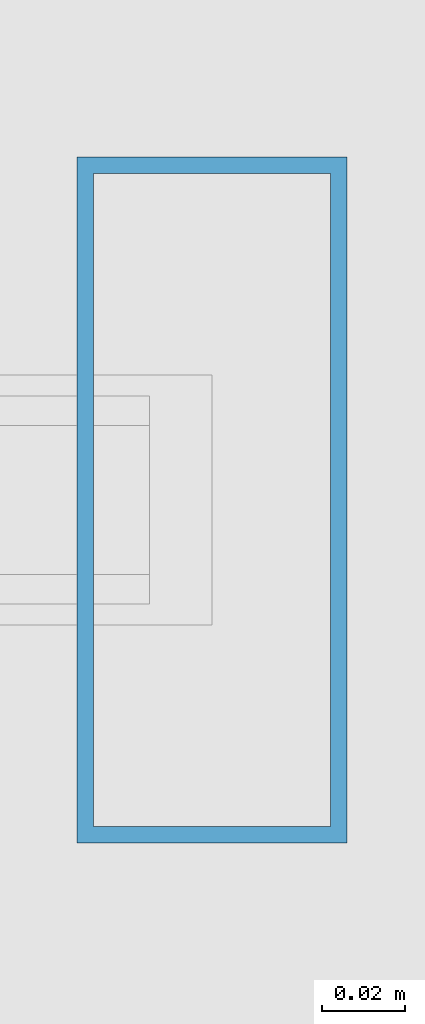
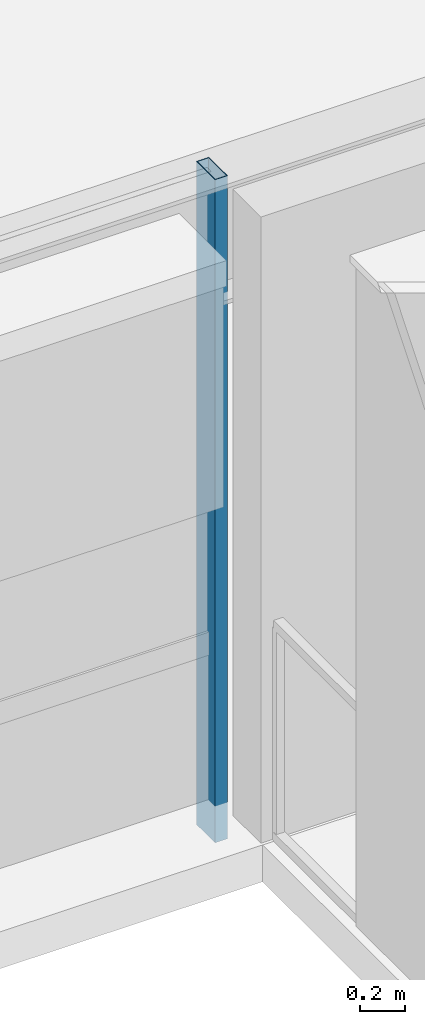
# One storey, part 7 of 32: 1 member, 1 element without a shape of its own.
"""IFC4 building model written with IfcOpenShell, lengths in metres."""

import ifcopenshell
import ifcopenshell.guid

model = None  # the IFC model being written
_history = None  # IfcOwnerHistory: only IFC2X3 demands one
_inside = {}  # id of a spatial element -> (the spatial element, [elements in it])
_under = {}  # id of a project, library or spatial element -> (it, [spatial elements below it])
_declared = {}  # id of a project -> (the project, [libraries it declares])
_typed = {}  # id of a type object -> (the type object, [elements of that type])
_made_of = {}  # id of a material, layer set ... -> (it, [elements and type objects made of it])


def new_model(schema):
    """Start an empty IFC model of exactly this schema.

    Asked for "IFC4X3", IfcOpenShell would pick the latest addendum, in which some entities
    have other attributes; the version numbers below select the first issue.
    IFC2X3 requires an IfcOwnerHistory on every rooted entity: one is made here for all.
    """
    global model, _history
    if schema == "IFC4X3":
        model = ifcopenshell.file(schema_version=(4, 3, 0, 0))
    else:
        model = ifcopenshell.file(schema=schema)
    _inside.clear()
    _under.clear()
    _declared.clear()
    _typed.clear()
    _made_of.clear()
    _history = None
    if model.schema == "IFC2X3":
        org = make("IfcOrganization", Name="unknown")
        user = make(
            "IfcPersonAndOrganization",
            ThePerson=make("IfcPerson", FamilyName="unknown"),
            TheOrganization=org,
        )
        app = make(
            "IfcApplication",
            ApplicationDeveloper=org,
            Version="unknown",
            ApplicationFullName="unknown",
            ApplicationIdentifier="unknown",
        )
        _history = make(
            "IfcOwnerHistory",
            OwningUser=user,
            OwningApplication=app,
            ChangeAction="ADDED",
            CreationDate=0,
        )
    return model


def make(cls, **values):
    """One entity of the class cls with the attributes given. An attribute that is None is left unset."""
    return model.create_entity(
        cls, **{name: value for name, value in values.items() if value is not None}
    )


def rooted(cls, **values):
    """An entity with a GlobalId (a new one), such as an element, a storey or a relation."""
    return make(cls, GlobalId=ifcopenshell.guid.new(), OwnerHistory=_history, **values)


def si_unit(unit_type, name, prefix=None):
    """IfcSIUnit, for example si_unit("LENGTHUNIT", "METRE", prefix="MILLI")."""
    return make("IfcSIUnit", UnitType=unit_type, Prefix=prefix, Name=name)


def assignment(units):
    """IfcUnitAssignment: the units of a project."""
    return None if units is None else make("IfcUnitAssignment", Units=units)


def point(xyz):
    """IfcCartesianPoint."""
    return None if xyz is None else make("IfcCartesianPoint", Coordinates=xyz)


def direction(xyz):
    """IfcDirection."""
    return None if xyz is None else make("IfcDirection", DirectionRatios=xyz)


def frame(location, z_axis=None, x_axis=None):
    """IfcAxis2Placement3D, a coordinate frame: its origin and axes. An axis left out is left unset."""
    return make(
        "IfcAxis2Placement3D",
        Location=point(location),
        Axis=direction(z_axis),
        RefDirection=direction(x_axis),
    )


def frame_2d(location, x_axis=None):
    """IfcAxis2Placement2D, a coordinate frame in the plane: its origin and x axis."""
    return make(
        "IfcAxis2Placement2D", Location=point(location), RefDirection=direction(x_axis)
    )


def origin():
    """The frame at (0, 0, 0) with its axes left unset."""
    return frame((0.0, 0.0, 0.0))


def origin_2d():
    """The frame at (0, 0) in the plane with its x axis left unset."""
    return frame_2d((0.0, 0.0))


def place(relative_to, where):
    """IfcLocalPlacement: puts the frame where relative to a parent placement (None: the world)."""
    return make(
        "IfcLocalPlacement", PlacementRelTo=relative_to, RelativePlacement=where
    )


def context(
    kind, dimensions, precision=None, world=None, true_north=None, identifier=None
):
    """IfcGeometricRepresentationContext, for example the 3D "Model" context."""
    return make(
        "IfcGeometricRepresentationContext",
        ContextIdentifier=identifier,
        ContextType=kind,
        CoordinateSpaceDimension=dimensions,
        Precision=precision,
        WorldCoordinateSystem=world,
        TrueNorth=true_north,
    )


def subcontext(parent, identifier, kind, view, scale=None):
    """IfcGeometricRepresentationSubContext, for example "Body" below "Model"."""
    return make(
        "IfcGeometricRepresentationSubContext",
        ContextIdentifier=identifier,
        ContextType=kind,
        ParentContext=parent,
        TargetScale=scale,
        TargetView=view,
    )


def project(units=None, contexts=None):
    """IfcProject with its units and contexts."""
    return rooted(
        "IfcProject",
        Name="project",
        RepresentationContexts=contexts,
        UnitsInContext=assignment(units),
    )


def spatial(cls, under=None, at=None, **own):
    """A site, building, storey or space (cls), placed at a placement, below another one or the project."""
    s = rooted(cls, ObjectPlacement=at, **own)
    if under is not None:
        _under.setdefault(under.id(), (under, []))[1].append(s)
    return s


def profile(cls, at=None, kind="AREA", **sizes):
    """A parametric profile (cls). Its sizes go by their IFC names, for example OverallWidth=200.0."""
    return make(cls, ProfileType=kind, Position=at, **sizes)


def hollow_rectangle(**sizes):
    """IfcRectangleHollowProfileDef."""
    return profile("IfcRectangleHollowProfileDef", **sizes)


def extrude(swept, where, along, depth):
    """IfcExtrudedAreaSolid: the profile swept, set in the frame where, extruded along a direction by depth."""
    return make(
        "IfcExtrudedAreaSolid",
        SweptArea=swept,
        Position=where,
        ExtrudedDirection=direction(along),
        Depth=depth,
    )


def shape(context_of_items, identifier, shape_type, items):
    """IfcShapeRepresentation: the items that make up one representation, for example the "Body"."""
    return make(
        "IfcShapeRepresentation",
        ContextOfItems=context_of_items,
        RepresentationIdentifier=identifier,
        RepresentationType=shape_type,
        Items=items,
    )


def material(Name=None, Category=None):
    """IfcMaterial."""
    return make("IfcMaterial", Name=Name, Category=Category)


def layer(
    of_material, thickness, ventilated=None, Name=None, Category=None, Priority=None
):
    """IfcMaterialLayer: one layer of a wall or slab, of a material (None: an air gap)."""
    return make(
        "IfcMaterialLayer",
        Material=of_material,
        LayerThickness=thickness,
        IsVentilated=ventilated,
        Name=Name,
        Category=Category,
        Priority=Priority,
    )


def layer_set(layers, Name=None):
    """IfcMaterialLayerSet."""
    return make("IfcMaterialLayerSet", MaterialLayers=layers, LayerSetName=Name)


def material_profile(
    of_material, cross_section, Name=None, Category=None, Priority=None
):
    """IfcMaterialProfile: a cross section and its material."""
    return make(
        "IfcMaterialProfile",
        Name=Name,
        Material=of_material,
        Profile=cross_section,
        Priority=Priority,
        Category=Category,
    )


def profile_set(profiles, Name=None, composite=None):
    """IfcMaterialProfileSet."""
    return make(
        "IfcMaterialProfileSet",
        Name=Name,
        MaterialProfiles=profiles,
        CompositeProfile=composite,
    )


def made_of(thing, what):
    """Note that an element or type object is made of a material, layer set ...; save() writes the relation."""
    if what is not None:
        _made_of.setdefault(what.id(), (what, []))[1].append(thing)
    return thing


def type_object(cls, material=None, **own):
    """A type object (cls), such as IfcWallType, which elements share."""
    return made_of(rooted(cls, **own), material)


def element(
    cls,
    number,
    at=None,
    inside=None,
    cuts=None,
    type_object=None,
    material=None,
    context=None,
    identifier="Body",
    shape_type=None,
    held_by="IfcProductDefinitionShape",
    body=None,
    shapes=None,
    **own,
):
    """One element of the class cls, such as IfcWall. Its Tag is "e" and its number.

    at: its placement. inside: the storey or other place that contains it. cuts: it is an
    opening in that element (IfcRelVoidsElement). A single representation is given by context,
    identifier, shape_type and body (its items); several are given by shapes. held_by: the class
    of the entity that holds the representations. save() writes the other relations.
    """
    e = rooted(cls, Tag="e%d" % number, ObjectPlacement=at, **own)
    if body is not None:
        shapes = [shape(context, identifier, shape_type, body)]
    if shapes is not None:
        e.Representation = make(held_by, Representations=shapes)
    if inside is not None:
        _inside.setdefault(inside.id(), (inside, []))[1].append(e)
    if cuts is not None:
        rooted(
            "IfcRelVoidsElement", RelatingBuildingElement=cuts, RelatedOpeningElement=e
        )
    if type_object is not None:
        _typed.setdefault(type_object.id(), (type_object, []))[1].append(e)
    return made_of(e, material)


def aggregate(whole, parts):
    """IfcRelAggregates: a whole, such as a stair, and the parts it consists of."""
    return rooted("IfcRelAggregates", RelatingObject=whole, RelatedObjects=parts)


def save(model, path):
    """Write the relations noted so far, then the file.

    IfcRelAggregates (storeys below a building ...), IfcRelContainedInSpatialStructure (elements
    in a storey), IfcRelDefinesByType, IfcRelAssociatesMaterial and IfcRelDeclares: one each for
    every whole, place, type object, material and project.
    """
    for whole, parts in _under.values():
        aggregate(whole, parts)
    for where, things in _inside.values():
        rooted(
            "IfcRelContainedInSpatialStructure",
            RelatedElements=things,
            RelatingStructure=where,
        )
    for kind, things in _typed.values():
        rooted("IfcRelDefinesByType", RelatedObjects=things, RelatingType=kind)
    for what, things in _made_of.values():
        rooted("IfcRelAssociatesMaterial", RelatedObjects=things, RelatingMaterial=what)
    for by, libraries in _declared.values():
        rooted("IfcRelDeclares", RelatingContext=by, RelatedDefinitions=libraries)
    model.write(path)


model = new_model("IFC4")

# Units and contexts
model_context = context("Model", 3, precision=1e-05, world=origin(), true_north=direction((0.0, 1.0)))
body_context = subcontext(model_context, "Body", "Model", "MODEL_VIEW")
ifc_project = project(units=[si_unit("LENGTHUNIT", "METRE"), si_unit("AREAUNIT", "SQUARE_METRE"), si_unit("VOLUMEUNIT", "CUBIC_METRE"), si_unit("PLANEANGLEUNIT", "RADIAN"), si_unit("MASSUNIT", "GRAM", prefix="KILO")], contexts=[model_context])

# Site, building, storey
site_placement = place(None, origin())
site = spatial("IfcSite", under=ifc_project, at=site_placement, CompositionType="ELEMENT")
building_placement = place(site_placement, origin())
building = spatial("IfcBuilding", under=site, at=building_placement, Name="Brelmoor Portico Tower", CompositionType="ELEMENT")
storey_placement = place(building_placement, frame((0.0, 0.0, 162.300048828125)))
storey = spatial("IfcBuildingStorey", under=building, at=storey_placement, Name="L42", CompositionType="ELEMENT", Elevation=162.300048828125)

# Curtain wall, member
ifc_material = material(Name="Anodised Aluminium Alloy 6063-T6", Category="aluminium")
ifc_layer = layer(ifc_material, 0.179931640625)
ifc_layer_set = layer_set([ifc_layer], Name="Anodised Aluminium Alloy 6063-T6")
curtain_wall_type = type_object("IfcCurtainWallType", Name="CW-TOWER-Z3", PredefinedType="NOTDEFINED", material=ifc_layer_set)
curtain_wall_placement = place(storey_placement, origin())
curtain_wall = element("IfcCurtainWall", 1, at=curtain_wall_placement, inside=storey, type_object=curtain_wall_type, Name="L42 Curtain Wall CW-L42-1L-2", PredefinedType="NOTDEFINED")
ifc_material_profile = material_profile(ifc_material, hollow_rectangle(XDim=0.06494140625, YDim=0.1650390625, WallThickness=0.00390625, at=origin_2d()), Name="ALU MULLION 65x165")
ifc_profile_set = profile_set([ifc_material_profile], Name="Anodised Aluminium Alloy 6063-T6")
member_type = type_object("IfcMemberType", Name="MB-CW-MULL-165", PredefinedType="MULLION", material=ifc_profile_set)
member_placement = place(storey_placement, frame((-5.39990234375, -18.550048828125, -0.199951171875), z_axis=(0.0, 0.0, 1.0), x_axis=(1.0, 0.0, 0.0)))
member = element("IfcMember", 2, at=member_placement, type_object=member_type, Name="CW-L42-1L-2 Mullion 01", PredefinedType="MULLION", context=body_context, shape_type="SweptSolid", body=[
    extrude(hollow_rectangle(XDim=0.06494140625, YDim=0.1650390625, WallThickness=0.00390625, at=origin_2d()), origin(), (0.0, 0.0, 1.0), 3.599853515625),
])
aggregate(curtain_wall, [member])

save(model, "model.ifc")
